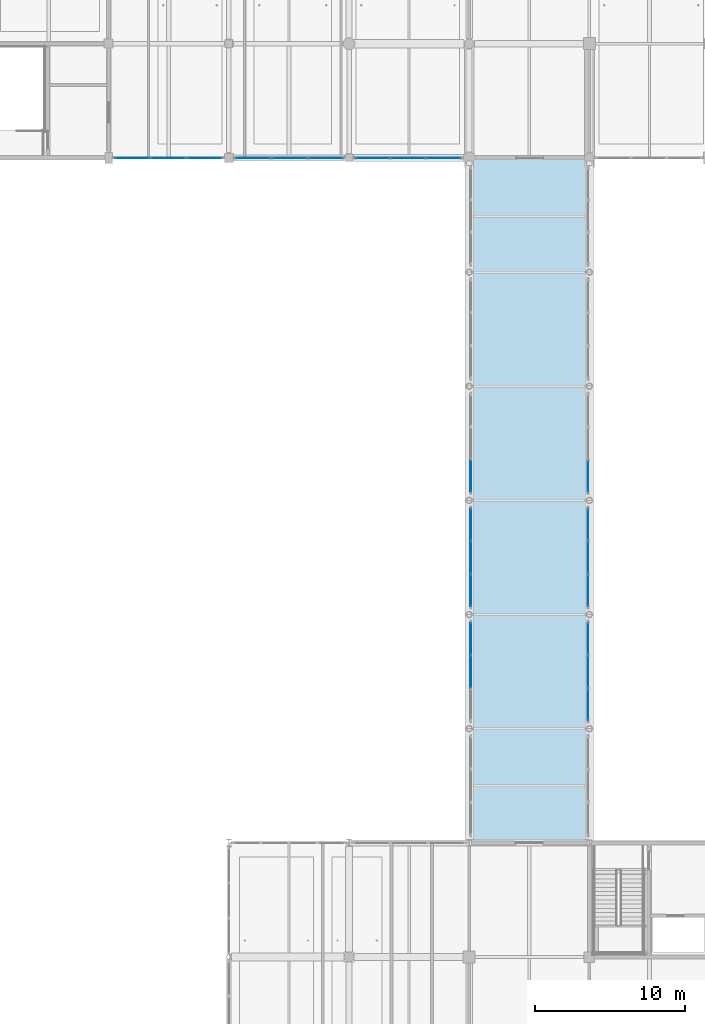
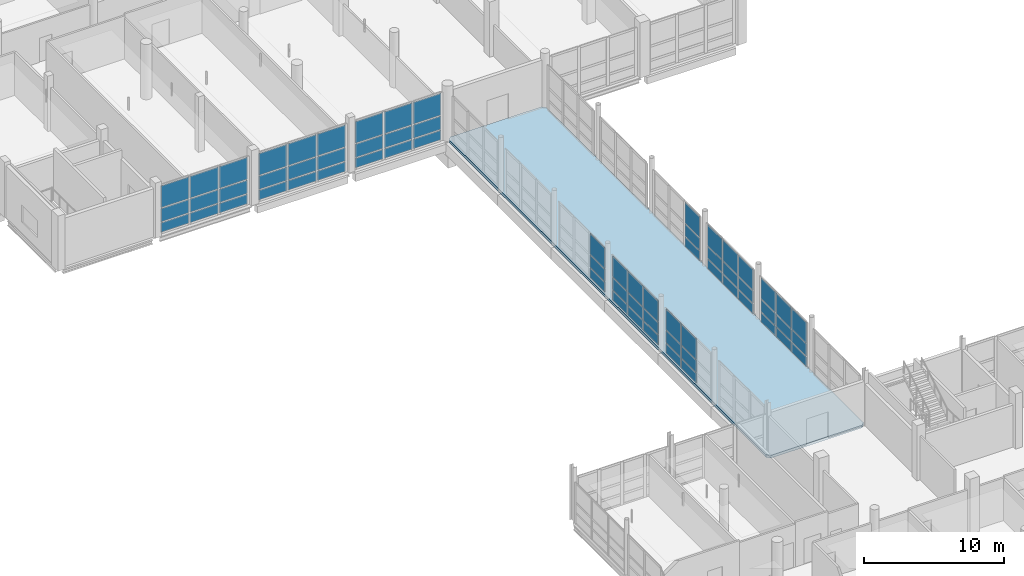
# One storey, part 76 of 147: 66 plates, 1 slab, 9 elements without a shape of their own.
"""IFC4 building model written with IfcOpenShell, lengths in metres."""

import ifcopenshell
import ifcopenshell.guid

model = None  # the IFC model being written
_history = None  # IfcOwnerHistory: only IFC2X3 demands one
_inside = {}  # id of a spatial element -> (the spatial element, [elements in it])
_under = {}  # id of a project, library or spatial element -> (it, [spatial elements below it])
_declared = {}  # id of a project -> (the project, [libraries it declares])
_typed = {}  # id of a type object -> (the type object, [elements of that type])
_made_of = {}  # id of a material, layer set ... -> (it, [elements and type objects made of it])


def new_model(schema):
    """Start an empty IFC model of exactly this schema.

    Asked for "IFC4X3", IfcOpenShell would pick the latest addendum, in which some entities
    have other attributes; the version numbers below select the first issue.
    IFC2X3 requires an IfcOwnerHistory on every rooted entity: one is made here for all.
    """
    global model, _history
    if schema == "IFC4X3":
        model = ifcopenshell.file(schema_version=(4, 3, 0, 0))
    else:
        model = ifcopenshell.file(schema=schema)
    _inside.clear()
    _under.clear()
    _declared.clear()
    _typed.clear()
    _made_of.clear()
    _history = None
    if model.schema == "IFC2X3":
        org = make("IfcOrganization", Name="unknown")
        user = make(
            "IfcPersonAndOrganization",
            ThePerson=make("IfcPerson", FamilyName="unknown"),
            TheOrganization=org,
        )
        app = make(
            "IfcApplication",
            ApplicationDeveloper=org,
            Version="unknown",
            ApplicationFullName="unknown",
            ApplicationIdentifier="unknown",
        )
        _history = make(
            "IfcOwnerHistory",
            OwningUser=user,
            OwningApplication=app,
            ChangeAction="ADDED",
            CreationDate=0,
        )
    return model


def make(cls, **values):
    """One entity of the class cls with the attributes given. An attribute that is None is left unset."""
    return model.create_entity(
        cls, **{name: value for name, value in values.items() if value is not None}
    )


def rooted(cls, **values):
    """An entity with a GlobalId (a new one), such as an element, a storey or a relation."""
    return make(cls, GlobalId=ifcopenshell.guid.new(), OwnerHistory=_history, **values)


def si_unit(unit_type, name, prefix=None):
    """IfcSIUnit, for example si_unit("LENGTHUNIT", "METRE", prefix="MILLI")."""
    return make("IfcSIUnit", UnitType=unit_type, Prefix=prefix, Name=name)


def assignment(units):
    """IfcUnitAssignment: the units of a project."""
    return None if units is None else make("IfcUnitAssignment", Units=units)


def point(xyz):
    """IfcCartesianPoint."""
    return None if xyz is None else make("IfcCartesianPoint", Coordinates=xyz)


def direction(xyz):
    """IfcDirection."""
    return None if xyz is None else make("IfcDirection", DirectionRatios=xyz)


def frame(location, z_axis=None, x_axis=None):
    """IfcAxis2Placement3D, a coordinate frame: its origin and axes. An axis left out is left unset."""
    return make(
        "IfcAxis2Placement3D",
        Location=point(location),
        Axis=direction(z_axis),
        RefDirection=direction(x_axis),
    )


def frame_2d(location, x_axis=None):
    """IfcAxis2Placement2D, a coordinate frame in the plane: its origin and x axis."""
    return make(
        "IfcAxis2Placement2D", Location=point(location), RefDirection=direction(x_axis)
    )


def origin():
    """The frame at (0, 0, 0) with its axes left unset."""
    return frame((0.0, 0.0, 0.0))


def origin_2d():
    """The frame at (0, 0) in the plane with its x axis left unset."""
    return frame_2d((0.0, 0.0))


def place(relative_to, where):
    """IfcLocalPlacement: puts the frame where relative to a parent placement (None: the world)."""
    return make(
        "IfcLocalPlacement", PlacementRelTo=relative_to, RelativePlacement=where
    )


def context(
    kind, dimensions, precision=None, world=None, true_north=None, identifier=None
):
    """IfcGeometricRepresentationContext, for example the 3D "Model" context."""
    return make(
        "IfcGeometricRepresentationContext",
        ContextIdentifier=identifier,
        ContextType=kind,
        CoordinateSpaceDimension=dimensions,
        Precision=precision,
        WorldCoordinateSystem=world,
        TrueNorth=true_north,
    )


def subcontext(parent, identifier, kind, view, scale=None):
    """IfcGeometricRepresentationSubContext, for example "Body" below "Model"."""
    return make(
        "IfcGeometricRepresentationSubContext",
        ContextIdentifier=identifier,
        ContextType=kind,
        ParentContext=parent,
        TargetScale=scale,
        TargetView=view,
    )


def project(units=None, contexts=None):
    """IfcProject with its units and contexts."""
    return rooted(
        "IfcProject",
        Name="project",
        RepresentationContexts=contexts,
        UnitsInContext=assignment(units),
    )


def spatial(cls, under=None, at=None, **own):
    """A site, building, storey or space (cls), placed at a placement, below another one or the project."""
    s = rooted(cls, ObjectPlacement=at, **own)
    if under is not None:
        _under.setdefault(under.id(), (under, []))[1].append(s)
    return s


def polyline(points):
    """IfcPolyline through the points."""
    return make("IfcPolyline", Points=[point(p) for p in points])


def profile(cls, at=None, kind="AREA", **sizes):
    """A parametric profile (cls). Its sizes go by their IFC names, for example OverallWidth=200.0."""
    return make(cls, ProfileType=kind, Position=at, **sizes)


def rectangle(**sizes):
    """IfcRectangleProfileDef."""
    return profile("IfcRectangleProfileDef", **sizes)


def outline(outer, holes=None, kind="AREA"):
    """IfcArbitraryClosedProfileDef: a profile drawn as a closed curve; with holes, ...WithVoids."""
    if holes is None:
        return make("IfcArbitraryClosedProfileDef", ProfileType=kind, OuterCurve=outer)
    return make(
        "IfcArbitraryProfileDefWithVoids",
        ProfileType=kind,
        OuterCurve=outer,
        InnerCurves=holes,
    )


def extrude(swept, where, along, depth):
    """IfcExtrudedAreaSolid: the profile swept, set in the frame where, extruded along a direction by depth."""
    return make(
        "IfcExtrudedAreaSolid",
        SweptArea=swept,
        Position=where,
        ExtrudedDirection=direction(along),
        Depth=depth,
    )


def shape(context_of_items, identifier, shape_type, items):
    """IfcShapeRepresentation: the items that make up one representation, for example the "Body"."""
    return make(
        "IfcShapeRepresentation",
        ContextOfItems=context_of_items,
        RepresentationIdentifier=identifier,
        RepresentationType=shape_type,
        Items=items,
    )


def material(Name=None, Category=None):
    """IfcMaterial."""
    return make("IfcMaterial", Name=Name, Category=Category)


def layer(
    of_material, thickness, ventilated=None, Name=None, Category=None, Priority=None
):
    """IfcMaterialLayer: one layer of a wall or slab, of a material (None: an air gap)."""
    return make(
        "IfcMaterialLayer",
        Material=of_material,
        LayerThickness=thickness,
        IsVentilated=ventilated,
        Name=Name,
        Category=Category,
        Priority=Priority,
    )


def layer_set(layers, Name=None):
    """IfcMaterialLayerSet."""
    return make("IfcMaterialLayerSet", MaterialLayers=layers, LayerSetName=Name)


def made_of(thing, what):
    """Note that an element or type object is made of a material, layer set ...; save() writes the relation."""
    if what is not None:
        _made_of.setdefault(what.id(), (what, []))[1].append(thing)
    return thing


def type_object(cls, material=None, **own):
    """A type object (cls), such as IfcWallType, which elements share."""
    return made_of(rooted(cls, **own), material)


def element(
    cls,
    number,
    at=None,
    inside=None,
    cuts=None,
    type_object=None,
    material=None,
    context=None,
    identifier="Body",
    shape_type=None,
    held_by="IfcProductDefinitionShape",
    body=None,
    shapes=None,
    **own,
):
    """One element of the class cls, such as IfcWall. Its Tag is "e" and its number.

    at: its placement. inside: the storey or other place that contains it. cuts: it is an
    opening in that element (IfcRelVoidsElement). A single representation is given by context,
    identifier, shape_type and body (its items); several are given by shapes. held_by: the class
    of the entity that holds the representations. save() writes the other relations.
    """
    e = rooted(cls, Tag="e%d" % number, ObjectPlacement=at, **own)
    if body is not None:
        shapes = [shape(context, identifier, shape_type, body)]
    if shapes is not None:
        e.Representation = make(held_by, Representations=shapes)
    if inside is not None:
        _inside.setdefault(inside.id(), (inside, []))[1].append(e)
    if cuts is not None:
        rooted(
            "IfcRelVoidsElement", RelatingBuildingElement=cuts, RelatedOpeningElement=e
        )
    if type_object is not None:
        _typed.setdefault(type_object.id(), (type_object, []))[1].append(e)
    return made_of(e, material)


def aggregate(whole, parts):
    """IfcRelAggregates: a whole, such as a stair, and the parts it consists of."""
    return rooted("IfcRelAggregates", RelatingObject=whole, RelatedObjects=parts)


def save(model, path):
    """Write the relations noted so far, then the file.

    IfcRelAggregates (storeys below a building ...), IfcRelContainedInSpatialStructure (elements
    in a storey), IfcRelDefinesByType, IfcRelAssociatesMaterial and IfcRelDeclares: one each for
    every whole, place, type object, material and project.
    """
    for whole, parts in _under.values():
        aggregate(whole, parts)
    for where, things in _inside.values():
        rooted(
            "IfcRelContainedInSpatialStructure",
            RelatedElements=things,
            RelatingStructure=where,
        )
    for kind, things in _typed.values():
        rooted("IfcRelDefinesByType", RelatedObjects=things, RelatingType=kind)
    for what, things in _made_of.values():
        rooted("IfcRelAssociatesMaterial", RelatedObjects=things, RelatingMaterial=what)
    for by, libraries in _declared.values():
        rooted("IfcRelDeclares", RelatingContext=by, RelatedDefinitions=libraries)
    model.write(path)


model = new_model("IFC4")

# Units and contexts
model_context = context("Model", 3, precision=1e-05, world=origin(), true_north=direction((0.0, 1.0)))
body_context = subcontext(model_context, "Body", "Model", "MODEL_VIEW")
ifc_project = project(units=[si_unit("LENGTHUNIT", "METRE"), si_unit("AREAUNIT", "SQUARE_METRE"), si_unit("VOLUMEUNIT", "CUBIC_METRE"), si_unit("PLANEANGLEUNIT", "RADIAN"), si_unit("MASSUNIT", "GRAM", prefix="KILO")], contexts=[model_context])

# Site, building, storey
site_placement = place(None, origin())
site = spatial("IfcSite", under=ifc_project, at=site_placement, CompositionType="ELEMENT")
building_placement = place(site_placement, origin())
building = spatial("IfcBuilding", under=site, at=building_placement, Name="Khelvaren Railside Concert Hall", CompositionType="ELEMENT")
storey_placement = place(building_placement, frame((0.0, 0.0, 5.39990234375)))
storey = spatial("IfcBuildingStorey", under=building, at=storey_placement, Name="L01", CompositionType="ELEMENT", Elevation=5.39990234375)

# Curtain wall, plates
ifc_material_1 = material(Name="Acoustic laminated crystal facade glass", Category="glass")
curtain_wall_type_1 = type_object("IfcCurtainWallType", Name="CW54", PredefinedType="USERDEFINED", material=ifc_material_1)
curtain_wall_1_placement = place(storey_placement, origin())
curtain_wall_1 = element("IfcCurtainWall", 1, at=curtain_wall_1_placement, inside=storey, type_object=curtain_wall_type_1, Name="Unitised Curtain Wall CW-V5-L01-S-136", ObjectType="UNITISED CURTAIN WALL", PredefinedType="USERDEFINED")
ifc_layer_1 = layer(ifc_material_1, 0.0400390625)
ifc_layer_set_1 = layer_set([ifc_layer_1], Name="Acoustic laminated crystal facade glass")
plate_type = type_object("IfcPlateType", Name="CWP77", PredefinedType="CURTAIN_PANEL", material=ifc_layer_set_1)
plate_1_placement = place(storey_placement, frame((142.385498046875, 83.60009765625, 0.0849609375), z_axis=(0.0, 0.0, 1.0), x_axis=(-1.0, 0.0, 0.0)))
plate_1 = element("IfcPlate", 2, at=plate_1_placement, type_object=plate_type, Name="CW54 panel 1.1", PredefinedType="CURTAIN_PANEL", context=body_context, shape_type="SweptSolid", body=[
    extrude(rectangle(XDim=2.30419921875, YDim=0.0400390625, at=origin_2d()), origin(), (0.0, 0.0, 1.0), 0.822509765625),
])
plate_2_placement = place(storey_placement, frame((142.385498046875, 83.60009765625, 0.99267578125), z_axis=(0.0, 0.0, 1.0), x_axis=(-1.0, 0.0, 0.0)))
plate_2 = element("IfcPlate", 3, at=plate_2_placement, type_object=plate_type, Name="CW54 panel 1.2", PredefinedType="CURTAIN_PANEL", context=body_context, shape_type="SweptSolid", body=[
    extrude(rectangle(XDim=2.30419921875, YDim=0.0400390625, at=origin_2d()), origin(), (0.0, 0.0, 1.0), 1.14892578125),
])
plate_3_placement = place(storey_placement, frame((142.385498046875, 83.60009765625, 2.2265625), z_axis=(0.0, 0.0, 1.0), x_axis=(-1.0, 0.0, 0.0)))
plate_3 = element("IfcPlate", 4, at=plate_3_placement, type_object=plate_type, Name="CW54 panel 1.3", PredefinedType="CURTAIN_PANEL", context=body_context, shape_type="SweptSolid", body=[
    extrude(rectangle(XDim=2.30419921875, YDim=0.0400390625, at=origin_2d()), origin(), (0.0, 0.0, 1.0), 1.888427734375),
])
plate_4_placement = place(storey_placement, frame((139.97509765625, 83.60009765625, 0.0849609375), z_axis=(0.0, 0.0, 1.0), x_axis=(-1.0, 0.0, 0.0)))
plate_4 = element("IfcPlate", 5, at=plate_4_placement, type_object=plate_type, Name="CW54 panel 2.1", PredefinedType="CURTAIN_PANEL", context=body_context, shape_type="SweptSolid", body=[
    extrude(rectangle(XDim=2.3466796875, YDim=0.0400390625, at=origin_2d()), origin(), (0.0, 0.0, 1.0), 0.822509765625),
])
plate_5_placement = place(storey_placement, frame((139.97509765625, 83.60009765625, 0.99267578125), z_axis=(0.0, 0.0, 1.0), x_axis=(-1.0, 0.0, 0.0)))
plate_5 = element("IfcPlate", 6, at=plate_5_placement, type_object=plate_type, Name="CW54 panel 2.2", PredefinedType="CURTAIN_PANEL", context=body_context, shape_type="SweptSolid", body=[
    extrude(rectangle(XDim=2.3466796875, YDim=0.0400390625, at=origin_2d()), origin(), (0.0, 0.0, 1.0), 1.14892578125),
])
plate_6_placement = place(storey_placement, frame((139.97509765625, 83.60009765625, 2.2265625), z_axis=(0.0, 0.0, 1.0), x_axis=(-1.0, 0.0, 0.0)))
plate_6 = element("IfcPlate", 7, at=plate_6_placement, type_object=plate_type, Name="CW54 panel 2.3", PredefinedType="CURTAIN_PANEL", context=body_context, shape_type="SweptSolid", body=[
    extrude(rectangle(XDim=2.3466796875, YDim=0.0400390625, at=origin_2d()), origin(), (0.0, 0.0, 1.0), 1.888427734375),
])
plate_7_placement = place(storey_placement, frame((137.564697265625, 83.60009765625, 0.0849609375), z_axis=(0.0, 0.0, 1.0), x_axis=(-1.0, 0.0, 0.0)))
plate_7 = element("IfcPlate", 8, at=plate_7_placement, type_object=plate_type, Name="CW54 panel 3.1", PredefinedType="CURTAIN_PANEL", context=body_context, shape_type="SweptSolid", body=[
    extrude(rectangle(XDim=2.30419921875, YDim=0.0400390625, at=origin_2d()), origin(), (0.0, 0.0, 1.0), 0.822509765625),
])
plate_8_placement = place(storey_placement, frame((137.564697265625, 83.60009765625, 0.99267578125), z_axis=(0.0, 0.0, 1.0), x_axis=(-1.0, 0.0, 0.0)))
plate_8 = element("IfcPlate", 9, at=plate_8_placement, type_object=plate_type, Name="CW54 panel 3.2", PredefinedType="CURTAIN_PANEL", context=body_context, shape_type="SweptSolid", body=[
    extrude(rectangle(XDim=2.30419921875, YDim=0.0400390625, at=origin_2d()), origin(), (0.0, 0.0, 1.0), 1.14892578125),
])
plate_9_placement = place(storey_placement, frame((137.564697265625, 83.60009765625, 2.2265625), z_axis=(0.0, 0.0, 1.0), x_axis=(-1.0, 0.0, 0.0)))
plate_9 = element("IfcPlate", 10, at=plate_9_placement, type_object=plate_type, Name="CW54 panel 3.3", PredefinedType="CURTAIN_PANEL", context=body_context, shape_type="SweptSolid", body=[
    extrude(rectangle(XDim=2.30419921875, YDim=0.0400390625, at=origin_2d()), origin(), (0.0, 0.0, 1.0), 1.888427734375),
])
aggregate(curtain_wall_1, [plate_1, plate_2, plate_3, plate_4, plate_5, plate_6, plate_7, plate_8, plate_9])

curtain_wall_type_2 = type_object("IfcCurtainWallType", Name="CW66", PredefinedType="USERDEFINED", material=ifc_material_1)
curtain_wall_2_placement = place(storey_placement, origin())
curtain_wall_2 = element("IfcCurtainWall", 11, at=curtain_wall_2_placement, inside=storey, type_object=curtain_wall_type_2, Name="Unitised Curtain Wall CW-V5-L01-S-144", ObjectType="UNITISED CURTAIN WALL", PredefinedType="USERDEFINED")
plate_10_placement = place(storey_placement, frame((150.435302734375, 83.60009765625, 0.0849609375), z_axis=(0.0, 0.0, 1.0), x_axis=(-1.0, 0.0, 0.0)))
plate_10 = element("IfcPlate", 12, at=plate_10_placement, type_object=plate_type, Name="CW66 panel 1.1", PredefinedType="CURTAIN_PANEL", context=body_context, shape_type="SweptSolid", body=[
    extrude(rectangle(XDim=2.30419921875, YDim=0.0400390625, at=origin_2d()), origin(), (0.0, 0.0, 1.0), 0.822509765625),
])
plate_11_placement = place(storey_placement, frame((150.435302734375, 83.60009765625, 0.99267578125), z_axis=(0.0, 0.0, 1.0), x_axis=(-1.0, 0.0, 0.0)))
plate_11 = element("IfcPlate", 13, at=plate_11_placement, type_object=plate_type, Name="CW66 panel 1.2", PredefinedType="CURTAIN_PANEL", context=body_context, shape_type="SweptSolid", body=[
    extrude(rectangle(XDim=2.30419921875, YDim=0.0400390625, at=origin_2d()), origin(), (0.0, 0.0, 1.0), 1.14892578125),
])
plate_12_placement = place(storey_placement, frame((150.435302734375, 83.60009765625, 2.2265625), z_axis=(0.0, 0.0, 1.0), x_axis=(-1.0, 0.0, 0.0)))
plate_12 = element("IfcPlate", 14, at=plate_12_placement, type_object=plate_type, Name="CW66 panel 1.3", PredefinedType="CURTAIN_PANEL", context=body_context, shape_type="SweptSolid", body=[
    extrude(rectangle(XDim=2.30419921875, YDim=0.0400390625, at=origin_2d()), origin(), (0.0, 0.0, 1.0), 1.888427734375),
])
plate_13_placement = place(storey_placement, frame((148.02490234375, 83.60009765625, 0.0849609375), z_axis=(0.0, 0.0, 1.0), x_axis=(-1.0, 0.0, 0.0)))
plate_13 = element("IfcPlate", 15, at=plate_13_placement, type_object=plate_type, Name="CW66 panel 2.1", PredefinedType="CURTAIN_PANEL", context=body_context, shape_type="SweptSolid", body=[
    extrude(rectangle(XDim=2.3466796875, YDim=0.0400390625, at=origin_2d()), origin(), (0.0, 0.0, 1.0), 0.822509765625),
])
plate_14_placement = place(storey_placement, frame((148.02490234375, 83.60009765625, 0.99267578125), z_axis=(0.0, 0.0, 1.0), x_axis=(-1.0, 0.0, 0.0)))
plate_14 = element("IfcPlate", 16, at=plate_14_placement, type_object=plate_type, Name="CW66 panel 2.2", PredefinedType="CURTAIN_PANEL", context=body_context, shape_type="SweptSolid", body=[
    extrude(rectangle(XDim=2.3466796875, YDim=0.0400390625, at=origin_2d()), origin(), (0.0, 0.0, 1.0), 1.14892578125),
])
plate_15_placement = place(storey_placement, frame((148.02490234375, 83.60009765625, 2.2265625), z_axis=(0.0, 0.0, 1.0), x_axis=(-1.0, 0.0, 0.0)))
plate_15 = element("IfcPlate", 17, at=plate_15_placement, type_object=plate_type, Name="CW66 panel 2.3", PredefinedType="CURTAIN_PANEL", context=body_context, shape_type="SweptSolid", body=[
    extrude(rectangle(XDim=2.3466796875, YDim=0.0400390625, at=origin_2d()), origin(), (0.0, 0.0, 1.0), 1.888427734375),
])
plate_16_placement = place(storey_placement, frame((145.614501953125, 83.60009765625, 0.0849609375), z_axis=(0.0, 0.0, 1.0), x_axis=(-1.0, 0.0, 0.0)))
plate_16 = element("IfcPlate", 18, at=plate_16_placement, type_object=plate_type, Name="CW66 panel 3.1", PredefinedType="CURTAIN_PANEL", context=body_context, shape_type="SweptSolid", body=[
    extrude(rectangle(XDim=2.30419921875, YDim=0.0400390625, at=origin_2d()), origin(), (0.0, 0.0, 1.0), 0.822509765625),
])
plate_17_placement = place(storey_placement, frame((145.614501953125, 83.60009765625, 0.99267578125), z_axis=(0.0, 0.0, 1.0), x_axis=(-1.0, 0.0, 0.0)))
plate_17 = element("IfcPlate", 19, at=plate_17_placement, type_object=plate_type, Name="CW66 panel 3.2", PredefinedType="CURTAIN_PANEL", context=body_context, shape_type="SweptSolid", body=[
    extrude(rectangle(XDim=2.30419921875, YDim=0.0400390625, at=origin_2d()), origin(), (0.0, 0.0, 1.0), 1.14892578125),
])
plate_18_placement = place(storey_placement, frame((145.614501953125, 83.60009765625, 2.2265625), z_axis=(0.0, 0.0, 1.0), x_axis=(-1.0, 0.0, 0.0)))
plate_18 = element("IfcPlate", 20, at=plate_18_placement, type_object=plate_type, Name="CW66 panel 3.3", PredefinedType="CURTAIN_PANEL", context=body_context, shape_type="SweptSolid", body=[
    extrude(rectangle(XDim=2.30419921875, YDim=0.0400390625, at=origin_2d()), origin(), (0.0, 0.0, 1.0), 1.888427734375),
])
aggregate(curtain_wall_2, [plate_10, plate_11, plate_12, plate_13, plate_14, plate_15, plate_16, plate_17, plate_18])

curtain_wall_type_3 = type_object("IfcCurtainWallType", Name="CW21", PredefinedType="USERDEFINED", material=ifc_material_1)
curtain_wall_3_placement = place(storey_placement, origin())
curtain_wall_3 = element("IfcCurtainWall", 21, at=curtain_wall_3_placement, inside=storey, type_object=curtain_wall_type_3, Name="Unitised Curtain Wall CW-V5-L01-S-152", ObjectType="UNITISED CURTAIN WALL", PredefinedType="USERDEFINED")
plate_19_placement = place(storey_placement, frame((158.302001953125, 83.60009765625, 0.0849609375), z_axis=(0.0, 0.0, 1.0), x_axis=(-1.0, 0.0, 0.0)))
plate_19 = element("IfcPlate", 22, at=plate_19_placement, type_object=plate_type, Name="CW21 panel 1.1", PredefinedType="CURTAIN_PANEL", context=body_context, shape_type="SweptSolid", body=[
    extrude(rectangle(XDim=2.270751953125, YDim=0.0400390625, at=origin_2d()), origin(), (0.0, 0.0, 1.0), 0.822509765625),
])
plate_20_placement = place(storey_placement, frame((158.302001953125, 83.60009765625, 0.99267578125), z_axis=(0.0, 0.0, 1.0), x_axis=(-1.0, 0.0, 0.0)))
plate_20 = element("IfcPlate", 23, at=plate_20_placement, type_object=plate_type, Name="CW21 panel 1.2", PredefinedType="CURTAIN_PANEL", context=body_context, shape_type="SweptSolid", body=[
    extrude(rectangle(XDim=2.270751953125, YDim=0.0400390625, at=origin_2d()), origin(), (0.0, 0.0, 1.0), 1.14892578125),
])
plate_21_placement = place(storey_placement, frame((158.302001953125, 83.60009765625, 2.2265625), z_axis=(0.0, 0.0, 1.0), x_axis=(-1.0, 0.0, 0.0)))
plate_21 = element("IfcPlate", 24, at=plate_21_placement, type_object=plate_type, Name="CW21 panel 1.3", PredefinedType="CURTAIN_PANEL", context=body_context, shape_type="SweptSolid", body=[
    extrude(rectangle(XDim=2.270751953125, YDim=0.0400390625, at=origin_2d()), origin(), (0.0, 0.0, 1.0), 1.888427734375),
])
plate_22_placement = place(storey_placement, frame((155.925048828125, 83.60009765625, 0.0849609375), z_axis=(0.0, 0.0, 1.0), x_axis=(-1.0, 0.0, 0.0)))
plate_22 = element("IfcPlate", 25, at=plate_22_placement, type_object=plate_type, Name="CW21 panel 2.1", PredefinedType="CURTAIN_PANEL", context=body_context, shape_type="SweptSolid", body=[
    extrude(rectangle(XDim=2.313232421875, YDim=0.0400390625, at=origin_2d()), origin(), (0.0, 0.0, 1.0), 0.822509765625),
])
plate_23_placement = place(storey_placement, frame((155.925048828125, 83.60009765625, 0.99267578125), z_axis=(0.0, 0.0, 1.0), x_axis=(-1.0, 0.0, 0.0)))
plate_23 = element("IfcPlate", 26, at=plate_23_placement, type_object=plate_type, Name="CW21 panel 2.2", PredefinedType="CURTAIN_PANEL", context=body_context, shape_type="SweptSolid", body=[
    extrude(rectangle(XDim=2.313232421875, YDim=0.0400390625, at=origin_2d()), origin(), (0.0, 0.0, 1.0), 1.14892578125),
])
plate_24_placement = place(storey_placement, frame((155.925048828125, 83.60009765625, 2.2265625), z_axis=(0.0, 0.0, 1.0), x_axis=(-1.0, 0.0, 0.0)))
plate_24 = element("IfcPlate", 27, at=plate_24_placement, type_object=plate_type, Name="CW21 panel 2.3", PredefinedType="CURTAIN_PANEL", context=body_context, shape_type="SweptSolid", body=[
    extrude(rectangle(XDim=2.313232421875, YDim=0.0400390625, at=origin_2d()), origin(), (0.0, 0.0, 1.0), 1.888427734375),
])
plate_25_placement = place(storey_placement, frame((153.5478515625, 83.60009765625, 0.0849609375), z_axis=(0.0, 0.0, 1.0), x_axis=(-1.0, 0.0, 0.0)))
plate_25 = element("IfcPlate", 28, at=plate_25_placement, type_object=plate_type, Name="CW21 panel 3.1", PredefinedType="CURTAIN_PANEL", context=body_context, shape_type="SweptSolid", body=[
    extrude(rectangle(XDim=2.270751953125, YDim=0.0400390625, at=origin_2d()), origin(), (0.0, 0.0, 1.0), 0.822509765625),
])
plate_26_placement = place(storey_placement, frame((153.5478515625, 83.60009765625, 0.99267578125), z_axis=(0.0, 0.0, 1.0), x_axis=(-1.0, 0.0, 0.0)))
plate_26 = element("IfcPlate", 29, at=plate_26_placement, type_object=plate_type, Name="CW21 panel 3.2", PredefinedType="CURTAIN_PANEL", context=body_context, shape_type="SweptSolid", body=[
    extrude(rectangle(XDim=2.270751953125, YDim=0.0400390625, at=origin_2d()), origin(), (0.0, 0.0, 1.0), 1.14892578125),
])
plate_27_placement = place(storey_placement, frame((153.5478515625, 83.60009765625, 2.2265625), z_axis=(0.0, 0.0, 1.0), x_axis=(-1.0, 0.0, 0.0)))
plate_27 = element("IfcPlate", 30, at=plate_27_placement, type_object=plate_type, Name="CW21 panel 3.3", PredefinedType="CURTAIN_PANEL", context=body_context, shape_type="SweptSolid", body=[
    extrude(rectangle(XDim=2.270751953125, YDim=0.0400390625, at=origin_2d()), origin(), (0.0, 0.0, 1.0), 1.888427734375),
])
aggregate(curtain_wall_3, [plate_19, plate_20, plate_21, plate_22, plate_23, plate_24, plate_25, plate_26, plate_27])

curtain_wall_type_4 = type_object("IfcCurtainWallType", Name="CW78", PredefinedType="USERDEFINED", material=ifc_material_1)
curtain_wall_4_placement = place(storey_placement, origin())
curtain_wall_4 = element("IfcCurtainWall", 31, at=curtain_wall_4_placement, inside=storey, type_object=curtain_wall_type_4, Name="Unitised Curtain Wall CW-LB4-L01-W2", ObjectType="UNITISED CURTAIN WALL", PredefinedType="USERDEFINED")
plate_28_placement = place(storey_placement, frame((160.10009765625, 49.39990234375, 0.0849609375), z_axis=(0.0, 0.0, 1.0), x_axis=(0.0, 1.0, 0.0)))
plate_28 = element("IfcPlate", 32, at=plate_28_placement, type_object=plate_type, Name="CW78 panel 2.1", PredefinedType="CURTAIN_PANEL", context=body_context, shape_type="SweptSolid", body=[
    extrude(rectangle(XDim=2.12841796875, YDim=0.0400390625, at=origin_2d()), origin(), (0.0, 0.0, 1.0), 0.822509765625),
])
plate_29_placement = place(storey_placement, frame((160.10009765625, 49.39990234375, 0.99267578125), z_axis=(0.0, 0.0, 1.0), x_axis=(0.0, 1.0, 0.0)))
plate_29 = element("IfcPlate", 33, at=plate_29_placement, type_object=plate_type, Name="CW78 panel 2.2", PredefinedType="CURTAIN_PANEL", context=body_context, shape_type="SweptSolid", body=[
    extrude(rectangle(XDim=2.12841796875, YDim=0.0400390625, at=origin_2d()), origin(), (0.0, 0.0, 1.0), 1.03466796875),
])
plate_30_placement = place(storey_placement, frame((160.10009765625, 49.39990234375, 2.1123046875), z_axis=(0.0, 0.0, 1.0), x_axis=(0.0, 1.0, 0.0)))
plate_30 = element("IfcPlate", 34, at=plate_30_placement, type_object=plate_type, Name="CW78 panel 2.3", PredefinedType="CURTAIN_PANEL", context=body_context, shape_type="SweptSolid", body=[
    extrude(rectangle(XDim=2.12841796875, YDim=0.0400390625, at=origin_2d()), origin(), (0.0, 0.0, 1.0), 1.782958984375),
])
plate_31_placement = place(storey_placement, frame((160.10009765625, 51.592041015625, 0.0849609375), z_axis=(0.0, 0.0, 1.0), x_axis=(0.0, 1.0, 0.0)))
plate_31 = element("IfcPlate", 35, at=plate_31_placement, type_object=plate_type, Name="CW78 panel 3.1", PredefinedType="CURTAIN_PANEL", context=body_context, shape_type="SweptSolid", body=[
    extrude(rectangle(XDim=2.0859375, YDim=0.0400390625, at=origin_2d()), origin(), (0.0, 0.0, 1.0), 0.822509765625),
])
plate_32_placement = place(storey_placement, frame((160.10009765625, 51.592041015625, 0.99267578125), z_axis=(0.0, 0.0, 1.0), x_axis=(0.0, 1.0, 0.0)))
plate_32 = element("IfcPlate", 36, at=plate_32_placement, type_object=plate_type, Name="CW78 panel 3.2", PredefinedType="CURTAIN_PANEL", context=body_context, shape_type="SweptSolid", body=[
    extrude(rectangle(XDim=2.0859375, YDim=0.0400390625, at=origin_2d()), origin(), (0.0, 0.0, 1.0), 1.03466796875),
])
plate_33_placement = place(storey_placement, frame((160.10009765625, 51.592041015625, 2.1123046875), z_axis=(0.0, 0.0, 1.0), x_axis=(0.0, 1.0, 0.0)))
plate_33 = element("IfcPlate", 37, at=plate_33_placement, type_object=plate_type, Name="CW78 panel 3.3", PredefinedType="CURTAIN_PANEL", context=body_context, shape_type="SweptSolid", body=[
    extrude(rectangle(XDim=2.0859375, YDim=0.0400390625, at=origin_2d()), origin(), (0.0, 0.0, 1.0), 1.782958984375),
])
aggregate(curtain_wall_4, [plate_28, plate_29, plate_30, plate_31, plate_32, plate_33])

curtain_wall_5_placement = place(storey_placement, origin())
curtain_wall_5 = element("IfcCurtainWall", 38, at=curtain_wall_5_placement, inside=storey, type_object=curtain_wall_type_4, Name="Unitised Curtain Wall CW-LB4-L01-E2", ObjectType="UNITISED CURTAIN WALL", PredefinedType="USERDEFINED")
plate_34_placement = place(storey_placement, frame((167.89990234375, 51.592041015625, 0.0849609375), z_axis=(0.0, 0.0, 1.0), x_axis=(0.0, -1.0, 0.0)))
plate_34 = element("IfcPlate", 39, at=plate_34_placement, type_object=plate_type, Name="CW78 panel 1.1", PredefinedType="CURTAIN_PANEL", context=body_context, shape_type="SweptSolid", body=[
    extrude(rectangle(XDim=2.0859375, YDim=0.0400390625, at=origin_2d()), origin(), (0.0, 0.0, 1.0), 0.822509765625),
])
plate_35_placement = place(storey_placement, frame((167.89990234375, 51.592041015625, 0.99267578125), z_axis=(0.0, 0.0, 1.0), x_axis=(0.0, -1.0, 0.0)))
plate_35 = element("IfcPlate", 40, at=plate_35_placement, type_object=plate_type, Name="CW78 panel 1.2", PredefinedType="CURTAIN_PANEL", context=body_context, shape_type="SweptSolid", body=[
    extrude(rectangle(XDim=2.0859375, YDim=0.0400390625, at=origin_2d()), origin(), (0.0, 0.0, 1.0), 1.03466796875),
])
plate_36_placement = place(storey_placement, frame((167.89990234375, 51.592041015625, 2.1123046875), z_axis=(0.0, 0.0, 1.0), x_axis=(0.0, -1.0, 0.0)))
plate_36 = element("IfcPlate", 41, at=plate_36_placement, type_object=plate_type, Name="CW78 panel 1.3", PredefinedType="CURTAIN_PANEL", context=body_context, shape_type="SweptSolid", body=[
    extrude(rectangle(XDim=2.0859375, YDim=0.0400390625, at=origin_2d()), origin(), (0.0, 0.0, 1.0), 1.782958984375),
])
plate_37_placement = place(storey_placement, frame((167.89990234375, 49.39990234375, 0.0849609375), z_axis=(0.0, 0.0, 1.0), x_axis=(0.0, -1.0, 0.0)))
plate_37 = element("IfcPlate", 42, at=plate_37_placement, type_object=plate_type, Name="CW78 panel 2.1", PredefinedType="CURTAIN_PANEL", context=body_context, shape_type="SweptSolid", body=[
    extrude(rectangle(XDim=2.12841796875, YDim=0.0400390625, at=origin_2d()), origin(), (0.0, 0.0, 1.0), 0.822509765625),
])
plate_38_placement = place(storey_placement, frame((167.89990234375, 49.39990234375, 0.99267578125), z_axis=(0.0, 0.0, 1.0), x_axis=(0.0, -1.0, 0.0)))
plate_38 = element("IfcPlate", 43, at=plate_38_placement, type_object=plate_type, Name="CW78 panel 2.2", PredefinedType="CURTAIN_PANEL", context=body_context, shape_type="SweptSolid", body=[
    extrude(rectangle(XDim=2.12841796875, YDim=0.0400390625, at=origin_2d()), origin(), (0.0, 0.0, 1.0), 1.03466796875),
])
plate_39_placement = place(storey_placement, frame((167.89990234375, 49.39990234375, 2.1123046875), z_axis=(0.0, 0.0, 1.0), x_axis=(0.0, -1.0, 0.0)))
plate_39 = element("IfcPlate", 44, at=plate_39_placement, type_object=plate_type, Name="CW78 panel 2.3", PredefinedType="CURTAIN_PANEL", context=body_context, shape_type="SweptSolid", body=[
    extrude(rectangle(XDim=2.12841796875, YDim=0.0400390625, at=origin_2d()), origin(), (0.0, 0.0, 1.0), 1.782958984375),
])
plate_40_placement = place(storey_placement, frame((167.89990234375, 47.2080078125, 0.0849609375), z_axis=(0.0, 0.0, 1.0), x_axis=(0.0, -1.0, 0.0)))
plate_40 = element("IfcPlate", 45, at=plate_40_placement, type_object=plate_type, Name="CW78 panel 3.1", PredefinedType="CURTAIN_PANEL", context=body_context, shape_type="SweptSolid", body=[
    extrude(rectangle(XDim=2.0859375, YDim=0.0400390625, at=origin_2d()), origin(), (0.0, 0.0, 1.0), 0.822509765625),
])
plate_41_placement = place(storey_placement, frame((167.89990234375, 47.2080078125, 0.99267578125), z_axis=(0.0, 0.0, 1.0), x_axis=(0.0, -1.0, 0.0)))
plate_41 = element("IfcPlate", 46, at=plate_41_placement, type_object=plate_type, Name="CW78 panel 3.2", PredefinedType="CURTAIN_PANEL", context=body_context, shape_type="SweptSolid", body=[
    extrude(rectangle(XDim=2.0859375, YDim=0.0400390625, at=origin_2d()), origin(), (0.0, 0.0, 1.0), 1.03466796875),
])
plate_42_placement = place(storey_placement, frame((167.89990234375, 47.2080078125, 2.1123046875), z_axis=(0.0, 0.0, 1.0), x_axis=(0.0, -1.0, 0.0)))
plate_42 = element("IfcPlate", 47, at=plate_42_placement, type_object=plate_type, Name="CW78 panel 3.3", PredefinedType="CURTAIN_PANEL", context=body_context, shape_type="SweptSolid", body=[
    extrude(rectangle(XDim=2.0859375, YDim=0.0400390625, at=origin_2d()), origin(), (0.0, 0.0, 1.0), 1.782958984375),
])
aggregate(curtain_wall_5, [plate_34, plate_35, plate_36, plate_37, plate_38, plate_39, plate_40, plate_41, plate_42])

curtain_wall_6_placement = place(storey_placement, origin())
curtain_wall_6 = element("IfcCurtainWall", 48, at=curtain_wall_6_placement, inside=storey, type_object=curtain_wall_type_4, Name="Unitised Curtain Wall CW-LB4-L01-W3", ObjectType="UNITISED CURTAIN WALL", PredefinedType="USERDEFINED")
plate_43_placement = place(storey_placement, frame((160.10009765625, 54.807861328125, 0.0849609375), z_axis=(0.0, 0.0, 1.0), x_axis=(0.0, 1.0, 0.0)))
plate_43 = element("IfcPlate", 49, at=plate_43_placement, type_object=plate_type, Name="CW78 panel 1.1", PredefinedType="CURTAIN_PANEL", context=body_context, shape_type="SweptSolid", body=[
    extrude(rectangle(XDim=2.0859375, YDim=0.0400390625, at=origin_2d()), origin(), (0.0, 0.0, 1.0), 0.822509765625),
])
plate_44_placement = place(storey_placement, frame((160.10009765625, 54.807861328125, 0.99267578125), z_axis=(0.0, 0.0, 1.0), x_axis=(0.0, 1.0, 0.0)))
plate_44 = element("IfcPlate", 50, at=plate_44_placement, type_object=plate_type, Name="CW78 panel 1.2", PredefinedType="CURTAIN_PANEL", context=body_context, shape_type="SweptSolid", body=[
    extrude(rectangle(XDim=2.0859375, YDim=0.0400390625, at=origin_2d()), origin(), (0.0, 0.0, 1.0), 1.03466796875),
])
plate_45_placement = place(storey_placement, frame((160.10009765625, 54.807861328125, 2.1123046875), z_axis=(0.0, 0.0, 1.0), x_axis=(0.0, 1.0, 0.0)))
plate_45 = element("IfcPlate", 51, at=plate_45_placement, type_object=plate_type, Name="CW78 panel 1.3", PredefinedType="CURTAIN_PANEL", context=body_context, shape_type="SweptSolid", body=[
    extrude(rectangle(XDim=2.0859375, YDim=0.0400390625, at=origin_2d()), origin(), (0.0, 0.0, 1.0), 1.782958984375),
])
plate_46_placement = place(storey_placement, frame((160.10009765625, 57.0, 0.0849609375), z_axis=(0.0, 0.0, 1.0), x_axis=(0.0, 1.0, 0.0)))
plate_46 = element("IfcPlate", 52, at=plate_46_placement, type_object=plate_type, Name="CW78 panel 2.1", PredefinedType="CURTAIN_PANEL", context=body_context, shape_type="SweptSolid", body=[
    extrude(rectangle(XDim=2.12841796875, YDim=0.0400390625, at=origin_2d()), origin(), (0.0, 0.0, 1.0), 0.822509765625),
])
plate_47_placement = place(storey_placement, frame((160.10009765625, 57.0, 0.99267578125), z_axis=(0.0, 0.0, 1.0), x_axis=(0.0, 1.0, 0.0)))
plate_47 = element("IfcPlate", 53, at=plate_47_placement, type_object=plate_type, Name="CW78 panel 2.2", PredefinedType="CURTAIN_PANEL", context=body_context, shape_type="SweptSolid", body=[
    extrude(rectangle(XDim=2.12841796875, YDim=0.0400390625, at=origin_2d()), origin(), (0.0, 0.0, 1.0), 1.03466796875),
])
plate_48_placement = place(storey_placement, frame((160.10009765625, 57.0, 2.1123046875), z_axis=(0.0, 0.0, 1.0), x_axis=(0.0, 1.0, 0.0)))
plate_48 = element("IfcPlate", 54, at=plate_48_placement, type_object=plate_type, Name="CW78 panel 2.3", PredefinedType="CURTAIN_PANEL", context=body_context, shape_type="SweptSolid", body=[
    extrude(rectangle(XDim=2.12841796875, YDim=0.0400390625, at=origin_2d()), origin(), (0.0, 0.0, 1.0), 1.782958984375),
])
plate_49_placement = place(storey_placement, frame((160.10009765625, 59.192138671875, 0.0849609375), z_axis=(0.0, 0.0, 1.0), x_axis=(0.0, 1.0, 0.0)))
plate_49 = element("IfcPlate", 55, at=plate_49_placement, type_object=plate_type, Name="CW78 panel 3.1", PredefinedType="CURTAIN_PANEL", context=body_context, shape_type="SweptSolid", body=[
    extrude(rectangle(XDim=2.0859375, YDim=0.0400390625, at=origin_2d()), origin(), (0.0, 0.0, 1.0), 0.822509765625),
])
plate_50_placement = place(storey_placement, frame((160.10009765625, 59.192138671875, 0.99267578125), z_axis=(0.0, 0.0, 1.0), x_axis=(0.0, 1.0, 0.0)))
plate_50 = element("IfcPlate", 56, at=plate_50_placement, type_object=plate_type, Name="CW78 panel 3.2", PredefinedType="CURTAIN_PANEL", context=body_context, shape_type="SweptSolid", body=[
    extrude(rectangle(XDim=2.0859375, YDim=0.0400390625, at=origin_2d()), origin(), (0.0, 0.0, 1.0), 1.03466796875),
])
plate_51_placement = place(storey_placement, frame((160.10009765625, 59.192138671875, 2.1123046875), z_axis=(0.0, 0.0, 1.0), x_axis=(0.0, 1.0, 0.0)))
plate_51 = element("IfcPlate", 57, at=plate_51_placement, type_object=plate_type, Name="CW78 panel 3.3", PredefinedType="CURTAIN_PANEL", context=body_context, shape_type="SweptSolid", body=[
    extrude(rectangle(XDim=2.0859375, YDim=0.0400390625, at=origin_2d()), origin(), (0.0, 0.0, 1.0), 1.782958984375),
])
aggregate(curtain_wall_6, [plate_43, plate_44, plate_45, plate_46, plate_47, plate_48, plate_49, plate_50, plate_51])

curtain_wall_7_placement = place(storey_placement, origin())
curtain_wall_7 = element("IfcCurtainWall", 58, at=curtain_wall_7_placement, inside=storey, type_object=curtain_wall_type_4, Name="Unitised Curtain Wall CW-LB4-L01-E3", ObjectType="UNITISED CURTAIN WALL", PredefinedType="USERDEFINED")
plate_52_placement = place(storey_placement, frame((167.89990234375, 59.192138671875, 0.0849609375), z_axis=(0.0, 0.0, 1.0), x_axis=(0.0, -1.0, 0.0)))
plate_52 = element("IfcPlate", 59, at=plate_52_placement, type_object=plate_type, Name="CW78 panel 1.1", PredefinedType="CURTAIN_PANEL", context=body_context, shape_type="SweptSolid", body=[
    extrude(rectangle(XDim=2.0859375, YDim=0.0400390625, at=origin_2d()), origin(), (0.0, 0.0, 1.0), 0.822509765625),
])
plate_53_placement = place(storey_placement, frame((167.89990234375, 59.192138671875, 0.99267578125), z_axis=(0.0, 0.0, 1.0), x_axis=(0.0, -1.0, 0.0)))
plate_53 = element("IfcPlate", 60, at=plate_53_placement, type_object=plate_type, Name="CW78 panel 1.2", PredefinedType="CURTAIN_PANEL", context=body_context, shape_type="SweptSolid", body=[
    extrude(rectangle(XDim=2.0859375, YDim=0.0400390625, at=origin_2d()), origin(), (0.0, 0.0, 1.0), 1.03466796875),
])
plate_54_placement = place(storey_placement, frame((167.89990234375, 59.192138671875, 2.1123046875), z_axis=(0.0, 0.0, 1.0), x_axis=(0.0, -1.0, 0.0)))
plate_54 = element("IfcPlate", 61, at=plate_54_placement, type_object=plate_type, Name="CW78 panel 1.3", PredefinedType="CURTAIN_PANEL", context=body_context, shape_type="SweptSolid", body=[
    extrude(rectangle(XDim=2.0859375, YDim=0.0400390625, at=origin_2d()), origin(), (0.0, 0.0, 1.0), 1.782958984375),
])
plate_55_placement = place(storey_placement, frame((167.89990234375, 57.0, 0.0849609375), z_axis=(0.0, 0.0, 1.0), x_axis=(0.0, -1.0, 0.0)))
plate_55 = element("IfcPlate", 62, at=plate_55_placement, type_object=plate_type, Name="CW78 panel 2.1", PredefinedType="CURTAIN_PANEL", context=body_context, shape_type="SweptSolid", body=[
    extrude(rectangle(XDim=2.12841796875, YDim=0.0400390625, at=origin_2d()), origin(), (0.0, 0.0, 1.0), 0.822509765625),
])
plate_56_placement = place(storey_placement, frame((167.89990234375, 57.0, 0.99267578125), z_axis=(0.0, 0.0, 1.0), x_axis=(0.0, -1.0, 0.0)))
plate_56 = element("IfcPlate", 63, at=plate_56_placement, type_object=plate_type, Name="CW78 panel 2.2", PredefinedType="CURTAIN_PANEL", context=body_context, shape_type="SweptSolid", body=[
    extrude(rectangle(XDim=2.12841796875, YDim=0.0400390625, at=origin_2d()), origin(), (0.0, 0.0, 1.0), 1.03466796875),
])
plate_57_placement = place(storey_placement, frame((167.89990234375, 57.0, 2.1123046875), z_axis=(0.0, 0.0, 1.0), x_axis=(0.0, -1.0, 0.0)))
plate_57 = element("IfcPlate", 64, at=plate_57_placement, type_object=plate_type, Name="CW78 panel 2.3", PredefinedType="CURTAIN_PANEL", context=body_context, shape_type="SweptSolid", body=[
    extrude(rectangle(XDim=2.12841796875, YDim=0.0400390625, at=origin_2d()), origin(), (0.0, 0.0, 1.0), 1.782958984375),
])
plate_58_placement = place(storey_placement, frame((167.89990234375, 54.807861328125, 0.0849609375), z_axis=(0.0, 0.0, 1.0), x_axis=(0.0, -1.0, 0.0)))
plate_58 = element("IfcPlate", 65, at=plate_58_placement, type_object=plate_type, Name="CW78 panel 3.1", PredefinedType="CURTAIN_PANEL", context=body_context, shape_type="SweptSolid", body=[
    extrude(rectangle(XDim=2.0859375, YDim=0.0400390625, at=origin_2d()), origin(), (0.0, 0.0, 1.0), 0.822509765625),
])
plate_59_placement = place(storey_placement, frame((167.89990234375, 54.807861328125, 0.99267578125), z_axis=(0.0, 0.0, 1.0), x_axis=(0.0, -1.0, 0.0)))
plate_59 = element("IfcPlate", 66, at=plate_59_placement, type_object=plate_type, Name="CW78 panel 3.2", PredefinedType="CURTAIN_PANEL", context=body_context, shape_type="SweptSolid", body=[
    extrude(rectangle(XDim=2.0859375, YDim=0.0400390625, at=origin_2d()), origin(), (0.0, 0.0, 1.0), 1.03466796875),
])
plate_60_placement = place(storey_placement, frame((167.89990234375, 54.807861328125, 2.1123046875), z_axis=(0.0, 0.0, 1.0), x_axis=(0.0, -1.0, 0.0)))
plate_60 = element("IfcPlate", 67, at=plate_60_placement, type_object=plate_type, Name="CW78 panel 3.3", PredefinedType="CURTAIN_PANEL", context=body_context, shape_type="SweptSolid", body=[
    extrude(rectangle(XDim=2.0859375, YDim=0.0400390625, at=origin_2d()), origin(), (0.0, 0.0, 1.0), 1.782958984375),
])
aggregate(curtain_wall_7, [plate_52, plate_53, plate_54, plate_55, plate_56, plate_57, plate_58, plate_59, plate_60])

curtain_wall_8_placement = place(storey_placement, origin())
curtain_wall_8 = element("IfcCurtainWall", 68, at=curtain_wall_8_placement, inside=storey, type_object=curtain_wall_type_4, Name="Unitised Curtain Wall CW-LB4-L01-W4", ObjectType="UNITISED CURTAIN WALL", PredefinedType="USERDEFINED")
plate_61_placement = place(storey_placement, frame((160.10009765625, 62.407958984375, 0.0849609375), z_axis=(0.0, 0.0, 1.0), x_axis=(0.0, 1.0, 0.0)))
plate_61 = element("IfcPlate", 69, at=plate_61_placement, type_object=plate_type, Name="CW78 panel 1.1", PredefinedType="CURTAIN_PANEL", context=body_context, shape_type="SweptSolid", body=[
    extrude(rectangle(XDim=2.0859375, YDim=0.0400390625, at=origin_2d()), origin(), (0.0, 0.0, 1.0), 0.822509765625),
])
plate_62_placement = place(storey_placement, frame((160.10009765625, 62.407958984375, 0.99267578125), z_axis=(0.0, 0.0, 1.0), x_axis=(0.0, 1.0, 0.0)))
plate_62 = element("IfcPlate", 70, at=plate_62_placement, type_object=plate_type, Name="CW78 panel 1.2", PredefinedType="CURTAIN_PANEL", context=body_context, shape_type="SweptSolid", body=[
    extrude(rectangle(XDim=2.0859375, YDim=0.0400390625, at=origin_2d()), origin(), (0.0, 0.0, 1.0), 1.03466796875),
])
plate_63_placement = place(storey_placement, frame((160.10009765625, 62.407958984375, 2.1123046875), z_axis=(0.0, 0.0, 1.0), x_axis=(0.0, 1.0, 0.0)))
plate_63 = element("IfcPlate", 71, at=plate_63_placement, type_object=plate_type, Name="CW78 panel 1.3", PredefinedType="CURTAIN_PANEL", context=body_context, shape_type="SweptSolid", body=[
    extrude(rectangle(XDim=2.0859375, YDim=0.0400390625, at=origin_2d()), origin(), (0.0, 0.0, 1.0), 1.782958984375),
])
aggregate(curtain_wall_8, [plate_61, plate_62, plate_63])

curtain_wall_9_placement = place(storey_placement, origin())
curtain_wall_9 = element("IfcCurtainWall", 72, at=curtain_wall_9_placement, inside=storey, type_object=curtain_wall_type_4, Name="Unitised Curtain Wall CW-LB4-L01-E4", ObjectType="UNITISED CURTAIN WALL", PredefinedType="USERDEFINED")
plate_64_placement = place(storey_placement, frame((167.89990234375, 62.407958984375, 0.0849609375), z_axis=(0.0, 0.0, 1.0), x_axis=(0.0, -1.0, 0.0)))
plate_64 = element("IfcPlate", 73, at=plate_64_placement, type_object=plate_type, Name="CW78 panel 3.1", PredefinedType="CURTAIN_PANEL", context=body_context, shape_type="SweptSolid", body=[
    extrude(rectangle(XDim=2.0859375, YDim=0.0400390625, at=origin_2d()), origin(), (0.0, 0.0, 1.0), 0.822509765625),
])
plate_65_placement = place(storey_placement, frame((167.89990234375, 62.407958984375, 0.99267578125), z_axis=(0.0, 0.0, 1.0), x_axis=(0.0, -1.0, 0.0)))
plate_65 = element("IfcPlate", 74, at=plate_65_placement, type_object=plate_type, Name="CW78 panel 3.2", PredefinedType="CURTAIN_PANEL", context=body_context, shape_type="SweptSolid", body=[
    extrude(rectangle(XDim=2.0859375, YDim=0.0400390625, at=origin_2d()), origin(), (0.0, 0.0, 1.0), 1.03466796875),
])
plate_66_placement = place(storey_placement, frame((167.89990234375, 62.407958984375, 2.1123046875), z_axis=(0.0, 0.0, 1.0), x_axis=(0.0, -1.0, 0.0)))
plate_66 = element("IfcPlate", 75, at=plate_66_placement, type_object=plate_type, Name="CW78 panel 3.3", PredefinedType="CURTAIN_PANEL", context=body_context, shape_type="SweptSolid", body=[
    extrude(rectangle(XDim=2.0859375, YDim=0.0400390625, at=origin_2d()), origin(), (0.0, 0.0, 1.0), 1.782958984375),
])
aggregate(curtain_wall_9, [plate_64, plate_65, plate_66])

# Slab
ifc_material_2 = material(Name="Concrete C40/50", Category="concrete")
ifc_layer_2 = layer(ifc_material_2, 0.239990234375)
ifc_layer_set_2 = layer_set([ifc_layer_2], Name="Concrete C40/50")
slab_type = type_object("IfcSlabType", Name="FS36", PredefinedType="FLOOR", material=ifc_layer_set_2)
slab_placement = place(storey_placement, frame((0.0, 0.0, -0.239990234375)))
element("IfcSlab", 76, at=slab_placement, inside=storey, type_object=slab_type, Name="East Backstage Artist Link Bridge L01 Deck Slab", PredefinedType="FLOOR", context=body_context, shape_type="SweptSolid", body=[
    extrude(outline(polyline([(160.25, 38.0), (167.75, 38.0), (168.0, 38.25), (168.0, 83.39990234375), (167.75, 83.64990234375), (160.25, 83.64990234375), (160.0, 83.39990234375), (160.0, 38.25), (160.25, 38.0)])), origin(), (0.0, 0.0, 1.0), 0.239990234375),
])

save(model, "model.ifc")
